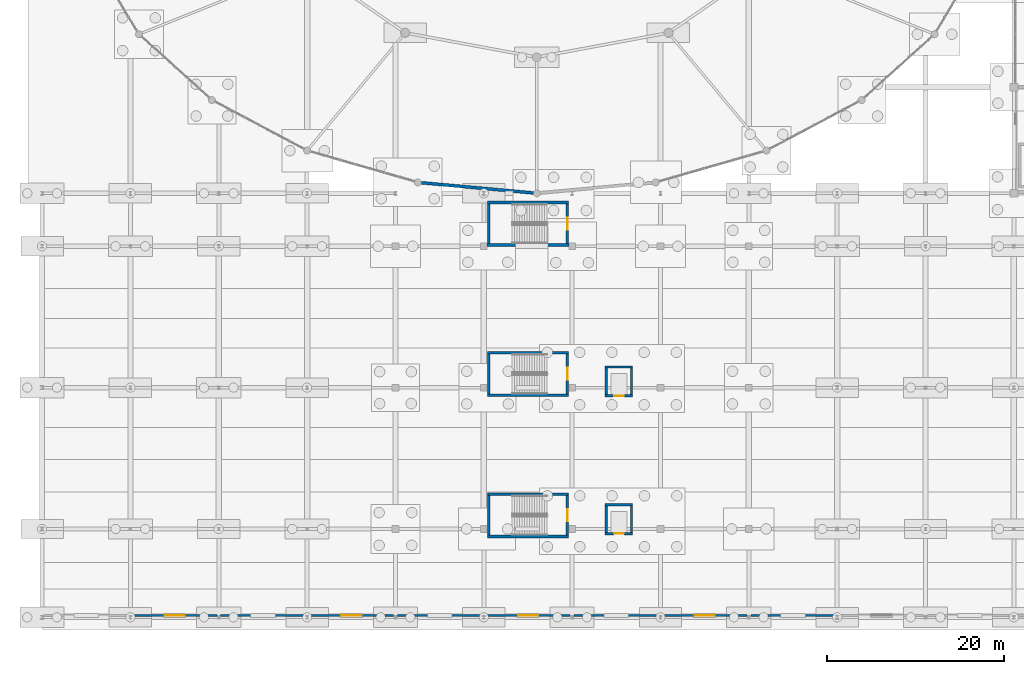
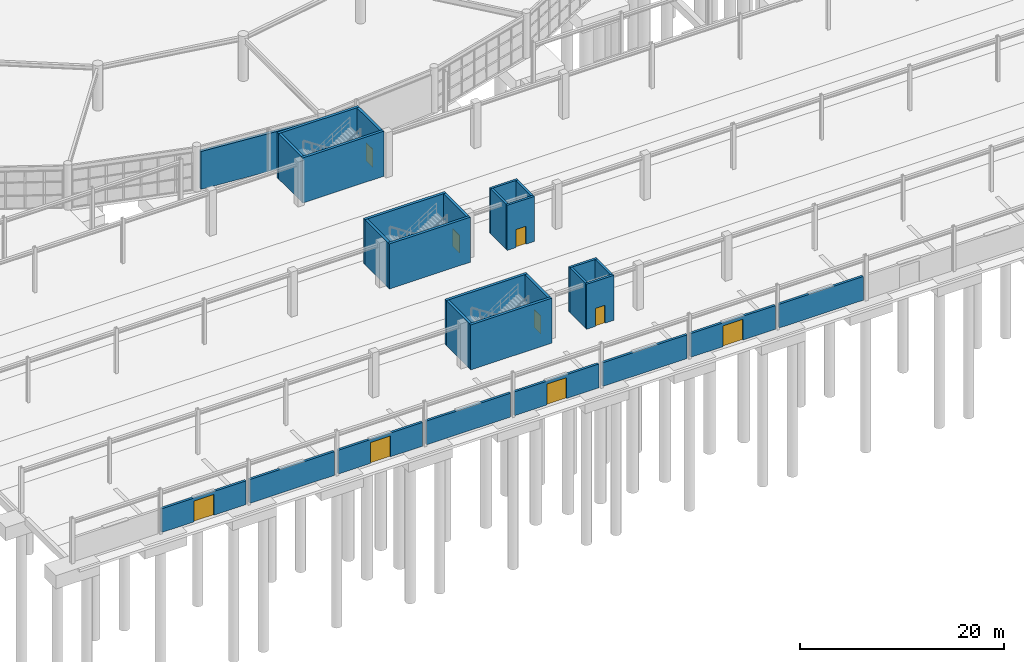
# One storey, part 75 of 99: 29 walls, 9 doors, 9 openings.
"""IFC4 building model written with IfcOpenShell, lengths in metres."""

from ifc_helpers import new_model, si_unit, direction, frame, frame_2d, origin, place, context, subcontext, project, spatial, rectangle, extrude, material, layer, layer_set, type_object, element, fill, save


model = new_model("IFC4")

# Units and contexts
model_context = context("Model", 3, precision=1e-05, world=origin(), true_north=direction((0.0, 1.0)))
body_context = subcontext(model_context, "Body", "Model", "MODEL_VIEW")
ifc_project = project(units=[si_unit("LENGTHUNIT", "METRE"), si_unit("AREAUNIT", "SQUARE_METRE"), si_unit("VOLUMEUNIT", "CUBIC_METRE"), si_unit("PLANEANGLEUNIT", "RADIAN"), si_unit("MASSUNIT", "GRAM", prefix="KILO")], contexts=[model_context])

# Site, building, storey
site_placement = place(None, origin())
site = spatial("IfcSite", under=ifc_project, at=site_placement, CompositionType="ELEMENT")
building_placement = place(site_placement, origin())
building = spatial("IfcBuilding", under=site, at=building_placement, Name="Kivolera Central Railway Station", CompositionType="ELEMENT")
storey_placement = place(building_placement, origin())
storey = spatial("IfcBuildingStorey", under=building, at=storey_placement, Name="L00", CompositionType="ELEMENT", Elevation=0.0)

# Walls
ifc_material_1 = material(Name="Concrete C40/50", Category="concrete")
ifc_layer_1 = layer(ifc_material_1, 0.300048828125, Name="Concrete C40/50")
ifc_layer_set_1 = layer_set([ifc_layer_1], Name="Concrete C40/50")
wall_type_1 = type_object("IfcWallType", Name="WL-CORE-300", PredefinedType="SHEAR", material=ifc_layer_set_1)
wall_1_placement = place(storey_placement, frame((67.625, 48.14990234375, 0.0), z_axis=(0.0, 0.0, 1.0), x_axis=(-1.0, 0.0, 0.0)))
element("IfcWall", 1, at=wall_1_placement, inside=storey, type_object=wall_type_1, Name="L00 ST8 Core Right Shear Wall", PredefinedType="SHEAR", context=body_context, shape_type="SweptSolid", body=[
    extrude(rectangle(XDim=9.25, YDim=0.300048828125, at=frame_2d((4.625, 0.0))), origin(), (0.0, 0.0, 1.0), 5.39990234375),
])
wall_2_placement = place(storey_placement, frame((58.39990234375, 52.949951171875, 0.0), z_axis=(0.0, 0.0, 1.0), x_axis=(1.0, 0.0, 0.0)))
element("IfcWall", 2, at=wall_2_placement, inside=storey, type_object=wall_type_1, Name="L00 ST8 Core Left Shear Wall", PredefinedType="SHEAR", context=body_context, shape_type="SweptSolid", body=[
    extrude(rectangle(XDim=9.2001953125, YDim=0.300048828125, at=frame_2d((4.60009765625, 0.0))), origin(), (0.0, 0.0, 1.0), 5.39990234375),
])

# Wall, opening, door
wall_3_placement = place(storey_placement, frame((67.449951171875, 52.800048828125, 0.0), z_axis=(0.0, 0.0, 1.0), x_axis=(0.0, -1.0, 0.0)))
wall_3 = element("IfcWall", 3, at=wall_3_placement, inside=storey, type_object=wall_type_1, Name="L00 ST8 Core Near Shear Wall", PredefinedType="SHEAR", context=body_context, shape_type="SweptSolid", body=[
    extrude(rectangle(XDim=4.5, YDim=0.300048828125, at=frame_2d((2.25, 0.0))), origin(), (0.0, 0.0, 1.0), 5.39990234375),
])
opening_1_placement = place(wall_3_placement, frame((1.574951171875, 0.0, 0.0)))
opening_1 = element("IfcOpeningElement", 4, at=opening_1_placement, cuts=wall_3, Name="Opening D-STAIR-1350", PredefinedType="OPENING", context=body_context, shape_type="SweptSolid", body=[
    extrude(rectangle(XDim=1.35009765625, YDim=2.14990234375, at=frame_2d((0.675048828125, 1.074951171875))), frame((0.0, 0.159912109375, 0.0), z_axis=(0.0, -1.0, 0.0), x_axis=(1.0, 0.0, 0.0)), (0.0, 0.0, 1.0), 0.320068359375),
])
ifc_material_2 = material(Name="Hardwood mvule timber", Category="wood")
door_type_1 = type_object("IfcDoorType", Name="DR-D-STAIR-1350", OperationType="NOTDEFINED", PredefinedType="DOOR", material=ifc_material_2)
door_1_placement = place(opening_1_placement, origin())
door_1 = element("IfcDoor", 5, at=door_1_placement, inside=storey, type_object=door_type_1, Name="L00 ST8 Concourse/Platform Stair Fire Door", OperationType="SINGLE_SWING_RIGHT", OverallHeight=2.14990234375, OverallWidth=1.35009765625, PredefinedType="DOOR", context=body_context, shape_type="SweptSolid", body=[
    extrude(rectangle(XDim=1.35009765625, YDim=2.14990234375, at=frame_2d((0.675048828125, 1.074951171875))), frame((0.0, 0.02490234375, 0.0), z_axis=(0.0, -1.0, 0.0), x_axis=(1.0, 0.0, 0.0)), (0.0, 0.0, 1.0), 0.050048828125),
])
fill(opening_1, door_1)

# Walls
wall_4_placement = place(storey_placement, frame((58.550048828125, 48.300048828125, 0.0), z_axis=(0.0, 0.0, 1.0), x_axis=(0.0, 1.0, 0.0)))
element("IfcWall", 6, at=wall_4_placement, inside=storey, type_object=wall_type_1, Name="L00 ST8 Core Far Shear Wall", PredefinedType="SHEAR", context=body_context, shape_type="SweptSolid", body=[
    extrude(rectangle(XDim=4.5, YDim=0.300048828125, at=frame_2d((2.25, 0.0))), origin(), (0.0, 0.0, 1.0), 5.39990234375),
])
for number, where, z_axis, x_axis, name in (
    (7, (67.60009765625, 31.14990234375, 0.0), (0.0, 0.0, 1.0), (-1.0, 0.0, 0.0), "L00 ST9 Core Right Shear Wall"),
    (8, (58.39990234375, 35.949951171875, 0.0), (0.0, 0.0, 1.0), (1.0, 0.0, 0.0), "L00 ST9 Core Left Shear Wall"),
):
    element("IfcWall", number, at=place(storey_placement, frame(where, z_axis=z_axis, x_axis=x_axis)), inside=storey, type_object=wall_type_1, Name=name, PredefinedType="SHEAR", context=body_context, shape_type="SweptSolid", body=[
        extrude(rectangle(XDim=9.2001953125, YDim=0.300048828125, at=frame_2d((4.60009765625, 0.0))), origin(), (0.0, 0.0, 1.0), 5.39990234375),
    ])

# Wall, opening, door
wall_5_placement = place(storey_placement, frame((67.449951171875, 35.800048828125, 0.0), z_axis=(0.0, 0.0, 1.0), x_axis=(0.0, -1.0, 0.0)))
wall_5 = element("IfcWall", 9, at=wall_5_placement, inside=storey, type_object=wall_type_1, Name="L00 ST9 Core Near Shear Wall", PredefinedType="SHEAR", context=body_context, shape_type="SweptSolid", body=[
    extrude(rectangle(XDim=4.5, YDim=0.300048828125, at=frame_2d((2.25, 0.0))), origin(), (0.0, 0.0, 1.0), 5.39990234375),
])
opening_2_placement = place(wall_5_placement, frame((1.574951171875, 0.0, 0.0)))
opening_2 = element("IfcOpeningElement", 10, at=opening_2_placement, cuts=wall_5, Name="Opening D-STAIR-1350", PredefinedType="OPENING", context=body_context, shape_type="SweptSolid", body=[
    extrude(rectangle(XDim=1.35009765625, YDim=2.14990234375, at=frame_2d((0.675048828125, 1.074951171875))), frame((0.0, 0.159912109375, 0.0), z_axis=(0.0, -1.0, 0.0), x_axis=(1.0, 0.0, 0.0)), (0.0, 0.0, 1.0), 0.320068359375),
])
door_2_placement = place(opening_2_placement, origin())
door_2 = element("IfcDoor", 11, at=door_2_placement, inside=storey, type_object=door_type_1, Name="L00 ST9 Concourse/Platform Stair Fire Door", OperationType="SINGLE_SWING_LEFT", OverallHeight=2.14990234375, OverallWidth=1.35009765625, PredefinedType="DOOR", context=body_context, shape_type="SweptSolid", body=[
    extrude(rectangle(XDim=1.35009765625, YDim=2.14990234375, at=frame_2d((0.675048828125, 1.074951171875))), frame((0.0, 0.02490234375, 0.0), z_axis=(0.0, -1.0, 0.0), x_axis=(1.0, 0.0, 0.0)), (0.0, 0.0, 1.0), 0.050048828125),
])
fill(opening_2, door_2)

# Walls
wall_6_placement = place(storey_placement, frame((58.550048828125, 31.300048828125, 0.0), z_axis=(0.0, 0.0, 1.0), x_axis=(0.0, 1.0, 0.0)))
element("IfcWall", 12, at=wall_6_placement, inside=storey, type_object=wall_type_1, Name="L00 ST9 Core Far Shear Wall", PredefinedType="SHEAR", context=body_context, shape_type="SweptSolid", body=[
    extrude(rectangle(XDim=4.5, YDim=0.300048828125, at=frame_2d((2.25, 0.0))), origin(), (0.0, 0.0, 1.0), 5.39990234375),
])
for number, where, z_axis, x_axis, name in (
    (13, (67.60009765625, 15.14990234375, 0.0), (0.0, 0.0, 1.0), (-1.0, 0.0, 0.0), "L00 ST10 Core Right Shear Wall"),
    (14, (58.39990234375, 19.949951171875, 0.0), (0.0, 0.0, 1.0), (1.0, 0.0, 0.0), "L00 ST10 Core Left Shear Wall"),
):
    element("IfcWall", number, at=place(storey_placement, frame(where, z_axis=z_axis, x_axis=x_axis)), inside=storey, type_object=wall_type_1, Name=name, PredefinedType="SHEAR", context=body_context, shape_type="SweptSolid", body=[
        extrude(rectangle(XDim=9.2001953125, YDim=0.300048828125, at=frame_2d((4.60009765625, 0.0))), origin(), (0.0, 0.0, 1.0), 5.39990234375),
    ])

# Wall, opening, door
wall_7_placement = place(storey_placement, frame((67.449951171875, 19.800048828125, 0.0), z_axis=(0.0, 0.0, 1.0), x_axis=(0.0, -1.0, 0.0)))
wall_7 = element("IfcWall", 15, at=wall_7_placement, inside=storey, type_object=wall_type_1, Name="L00 ST10 Core Near Shear Wall", PredefinedType="SHEAR", context=body_context, shape_type="SweptSolid", body=[
    extrude(rectangle(XDim=4.5, YDim=0.300048828125, at=frame_2d((2.25, 0.0))), origin(), (0.0, 0.0, 1.0), 5.39990234375),
])
opening_3_placement = place(wall_7_placement, frame((1.574951171875, 0.0, 0.0)))
opening_3 = element("IfcOpeningElement", 16, at=opening_3_placement, cuts=wall_7, Name="Opening D-STAIR-1350", PredefinedType="OPENING", context=body_context, shape_type="SweptSolid", body=[
    extrude(rectangle(XDim=1.35009765625, YDim=2.14990234375, at=frame_2d((0.675048828125, 1.074951171875))), frame((0.0, 0.159912109375, 0.0), z_axis=(0.0, -1.0, 0.0), x_axis=(1.0, 0.0, 0.0)), (0.0, 0.0, 1.0), 0.320068359375),
])
door_3_placement = place(opening_3_placement, origin())
door_3 = element("IfcDoor", 17, at=door_3_placement, inside=storey, type_object=door_type_1, Name="L00 ST10 Concourse/Platform Stair Fire Door", OperationType="SINGLE_SWING_RIGHT", OverallHeight=2.14990234375, OverallWidth=1.35009765625, PredefinedType="DOOR", context=body_context, shape_type="SweptSolid", body=[
    extrude(rectangle(XDim=1.35009765625, YDim=2.14990234375, at=frame_2d((0.675048828125, 1.074951171875))), frame((0.0, 0.02490234375, 0.0), z_axis=(0.0, -1.0, 0.0), x_axis=(1.0, 0.0, 0.0)), (0.0, 0.0, 1.0), 0.050048828125),
])
fill(opening_3, door_3)

# Wall
wall_8_placement = place(storey_placement, frame((58.550048828125, 15.300048828125, 0.0), z_axis=(0.0, 0.0, 1.0), x_axis=(0.0, 1.0, 0.0)))
element("IfcWall", 18, at=wall_8_placement, inside=storey, type_object=wall_type_1, Name="L00 ST10 Core Far Shear Wall", PredefinedType="SHEAR", context=body_context, shape_type="SweptSolid", body=[
    extrude(rectangle(XDim=4.5, YDim=0.300048828125, at=frame_2d((2.25, 0.0))), origin(), (0.0, 0.0, 1.0), 5.39990234375),
])

# Wall, opening, door
ifc_material_3 = material(Name="Swahili coral limestone", Category="masonry")
ifc_layer_2 = layer(ifc_material_3, 0.27001953125, Name="Swahili coral limestone")
ifc_layer_set_2 = layer_set([ifc_layer_2], Name="Swahili coral limestone")
wall_type_2 = type_object("IfcWallType", Name="WL-EXT-CORAL-270", PredefinedType="SOLIDWALL", material=ifc_layer_set_2)
wall_9_placement = place(storey_placement, frame((27.780029296875, 6.199951171875, 0.0), z_axis=(0.0, 0.0, 1.0), x_axis=(-1.0, 0.0, 0.0)))
wall_9 = element("IfcWall", 19, at=wall_9_placement, inside=storey, type_object=wall_type_2, Name="Southern Trackside Coral-Limestone Screen Wall 02", PredefinedType="SOLIDWALL", context=body_context, shape_type="SweptSolid", body=[
    extrude(rectangle(XDim=9.56005859375, YDim=0.27001953125, at=frame_2d((4.780029296875, 0.0))), origin(), (0.0, 0.0, 1.0), 2.85009765625),
])
opening_4_placement = place(wall_9_placement, frame((3.655029296875, 0.0, 0.0)))
opening_4 = element("IfcOpeningElement", 20, at=opening_4_placement, cuts=wall_9, Name="Opening ED-2250", PredefinedType="OPENING", context=body_context, shape_type="SweptSolid", body=[
    extrude(rectangle(XDim=2.25, YDim=2.5, at=frame_2d((1.125, 1.25))), frame((0.0, 0.14501953125, 0.0), z_axis=(0.0, -1.0, 0.0), x_axis=(1.0, 0.0, 0.0)), (0.0, 0.0, 1.0), 0.2900390625),
])
ifc_material_4 = material(Name="Anodised aluminium", Category="aluminium")
door_type_2 = type_object("IfcDoorType", Name="DR-ED-2250", OperationType="NOTDEFINED", PredefinedType="DOOR", material=ifc_material_4)
door_4_placement = place(opening_4_placement, origin())
door_4 = element("IfcDoor", 21, at=door_4_placement, inside=storey, type_object=door_type_2, Name="Platform Southern Final Exit Discharge Door ED-17", OperationType="DOUBLE_DOOR_SINGLE_SWING", OverallHeight=2.5, OverallWidth=2.25, PredefinedType="DOOR", context=body_context, shape_type="SweptSolid", body=[
    extrude(rectangle(XDim=2.25, YDim=2.5, at=frame_2d((1.125, 1.25))), frame((0.0, 0.02490234375, 0.0), z_axis=(0.0, -1.0, 0.0), x_axis=(1.0, 0.0, 0.0)), (0.0, 0.0, 1.0), 0.050048828125),
])
fill(opening_4, door_4)

# Wall
wall_10_placement = place(storey_placement, frame((37.780029296875, 6.199951171875, 0.0), z_axis=(0.0, 0.0, 1.0), x_axis=(-1.0, 0.0, 0.0)))
element("IfcWall", 22, at=wall_10_placement, inside=storey, type_object=wall_type_2, Name="Southern Trackside Coral-Limestone Screen Wall 03", PredefinedType="SOLIDWALL", context=body_context, shape_type="SweptSolid", body=[
    extrude(rectangle(XDim=9.56005859375, YDim=0.27001953125, at=frame_2d((4.780029296875, 0.0))), origin(), (0.0, 0.0, 1.0), 2.85009765625),
])

# Wall, opening, door
wall_11_placement = place(storey_placement, frame((47.780029296875, 6.199951171875, 0.0), z_axis=(0.0, 0.0, 1.0), x_axis=(-1.0, 0.0, 0.0)))
wall_11 = element("IfcWall", 23, at=wall_11_placement, inside=storey, type_object=wall_type_2, Name="Southern Trackside Coral-Limestone Screen Wall 04", PredefinedType="SOLIDWALL", context=body_context, shape_type="SweptSolid", body=[
    extrude(rectangle(XDim=9.56005859375, YDim=0.27001953125, at=frame_2d((4.780029296875, 0.0))), origin(), (0.0, 0.0, 1.0), 2.85009765625),
])
opening_5_placement = place(wall_11_placement, frame((3.655029296875, 0.0, 0.0)))
opening_5 = element("IfcOpeningElement", 24, at=opening_5_placement, cuts=wall_11, Name="Opening ED-2250", PredefinedType="OPENING", context=body_context, shape_type="SweptSolid", body=[
    extrude(rectangle(XDim=2.25, YDim=2.5, at=frame_2d((1.125, 1.25))), frame((0.0, 0.14501953125, 0.0), z_axis=(0.0, -1.0, 0.0), x_axis=(1.0, 0.0, 0.0)), (0.0, 0.0, 1.0), 0.2900390625),
])
door_5_placement = place(opening_5_placement, origin())
door_5 = element("IfcDoor", 25, at=door_5_placement, inside=storey, type_object=door_type_2, Name="Platform Southern Final Exit Discharge Door ED-18", OperationType="DOUBLE_DOOR_SINGLE_SWING", OverallHeight=2.5, OverallWidth=2.25, PredefinedType="DOOR", context=body_context, shape_type="SweptSolid", body=[
    extrude(rectangle(XDim=2.25, YDim=2.5, at=frame_2d((1.125, 1.25))), frame((0.0, 0.02490234375, 0.0), z_axis=(0.0, -1.0, 0.0), x_axis=(1.0, 0.0, 0.0)), (0.0, 0.0, 1.0), 0.050048828125),
])
fill(opening_5, door_5)

# Wall
wall_12_placement = place(storey_placement, frame((57.780029296875, 6.199951171875, 0.0), z_axis=(0.0, 0.0, 1.0), x_axis=(-1.0, 0.0, 0.0)))
element("IfcWall", 26, at=wall_12_placement, inside=storey, type_object=wall_type_2, Name="Southern Trackside Coral-Limestone Screen Wall 05", PredefinedType="SOLIDWALL", context=body_context, shape_type="SweptSolid", body=[
    extrude(rectangle(XDim=9.56005859375, YDim=0.27001953125, at=frame_2d((4.780029296875, 0.0))), origin(), (0.0, 0.0, 1.0), 2.85009765625),
])

# Wall, opening, door
wall_13_placement = place(storey_placement, frame((67.780029296875, 6.199951171875, 0.0), z_axis=(0.0, 0.0, 1.0), x_axis=(-1.0, 0.0, 0.0)))
wall_13 = element("IfcWall", 27, at=wall_13_placement, inside=storey, type_object=wall_type_2, Name="Southern Trackside Coral-Limestone Screen Wall 06", PredefinedType="SOLIDWALL", context=body_context, shape_type="SweptSolid", body=[
    extrude(rectangle(XDim=9.56005859375, YDim=0.27001953125, at=frame_2d((4.780029296875, 0.0))), origin(), (0.0, 0.0, 1.0), 2.85009765625),
])
opening_6_placement = place(wall_13_placement, frame((3.655029296875, 0.0, 0.0)))
opening_6 = element("IfcOpeningElement", 28, at=opening_6_placement, cuts=wall_13, Name="Opening ED-2250", PredefinedType="OPENING", context=body_context, shape_type="SweptSolid", body=[
    extrude(rectangle(XDim=2.25, YDim=2.5, at=frame_2d((1.125, 1.25))), frame((0.0, 0.14501953125, 0.0), z_axis=(0.0, -1.0, 0.0), x_axis=(1.0, 0.0, 0.0)), (0.0, 0.0, 1.0), 0.2900390625),
])
door_6_placement = place(opening_6_placement, origin())
door_6 = element("IfcDoor", 29, at=door_6_placement, inside=storey, type_object=door_type_2, Name="Platform Southern Final Exit Discharge Door ED-19", OperationType="DOUBLE_DOOR_SINGLE_SWING", OverallHeight=2.5, OverallWidth=2.25, PredefinedType="DOOR", context=body_context, shape_type="SweptSolid", body=[
    extrude(rectangle(XDim=2.25, YDim=2.5, at=frame_2d((1.125, 1.25))), frame((0.0, 0.02490234375, 0.0), z_axis=(0.0, -1.0, 0.0), x_axis=(1.0, 0.0, 0.0)), (0.0, 0.0, 1.0), 0.050048828125),
])
fill(opening_6, door_6)

# Wall
wall_14_placement = place(storey_placement, frame((77.780029296875, 6.199951171875, 0.0), z_axis=(0.0, 0.0, 1.0), x_axis=(-1.0, 0.0, 0.0)))
element("IfcWall", 30, at=wall_14_placement, inside=storey, type_object=wall_type_2, Name="Southern Trackside Coral-Limestone Screen Wall 07", PredefinedType="SOLIDWALL", context=body_context, shape_type="SweptSolid", body=[
    extrude(rectangle(XDim=9.56005859375, YDim=0.27001953125, at=frame_2d((4.780029296875, 0.0))), origin(), (0.0, 0.0, 1.0), 2.85009765625),
])

# Wall, opening, door
wall_15_placement = place(storey_placement, frame((87.780029296875, 6.199951171875, 0.0), z_axis=(0.0, 0.0, 1.0), x_axis=(-1.0, 0.0, 0.0)))
wall_15 = element("IfcWall", 31, at=wall_15_placement, inside=storey, type_object=wall_type_2, Name="Southern Trackside Coral-Limestone Screen Wall 08", PredefinedType="SOLIDWALL", context=body_context, shape_type="SweptSolid", body=[
    extrude(rectangle(XDim=9.56005859375, YDim=0.27001953125, at=frame_2d((4.780029296875, 0.0))), origin(), (0.0, 0.0, 1.0), 2.85009765625),
])
opening_7_placement = place(wall_15_placement, frame((3.655029296875, 0.0, 0.0)))
opening_7 = element("IfcOpeningElement", 32, at=opening_7_placement, cuts=wall_15, Name="Opening ED-2250", PredefinedType="OPENING", context=body_context, shape_type="SweptSolid", body=[
    extrude(rectangle(XDim=2.25, YDim=2.5, at=frame_2d((1.125, 1.25))), frame((0.0, 0.14501953125, 0.0), z_axis=(0.0, -1.0, 0.0), x_axis=(1.0, 0.0, 0.0)), (0.0, 0.0, 1.0), 0.2900390625),
])
door_7_placement = place(opening_7_placement, origin())
door_7 = element("IfcDoor", 33, at=door_7_placement, inside=storey, type_object=door_type_2, Name="Platform Southern Final Exit Discharge Door ED-20", OperationType="DOUBLE_DOOR_SINGLE_SWING", OverallHeight=2.5, OverallWidth=2.25, PredefinedType="DOOR", context=body_context, shape_type="SweptSolid", body=[
    extrude(rectangle(XDim=2.25, YDim=2.5, at=frame_2d((1.125, 1.25))), frame((0.0, 0.02490234375, 0.0), z_axis=(0.0, -1.0, 0.0), x_axis=(1.0, 0.0, 0.0)), (0.0, 0.0, 1.0), 0.050048828125),
])
fill(opening_7, door_7)

# Walls
wall_16_placement = place(storey_placement, frame((97.780029296875, 6.199951171875, 0.0), z_axis=(0.0, 0.0, 1.0), x_axis=(-1.0, 0.0, 0.0)))
element("IfcWall", 34, at=wall_16_placement, inside=storey, type_object=wall_type_2, Name="Southern Trackside Coral-Limestone Screen Wall 09", PredefinedType="SOLIDWALL", context=body_context, shape_type="SweptSolid", body=[
    extrude(rectangle(XDim=9.56005859375, YDim=0.27001953125, at=frame_2d((4.780029296875, 0.0))), origin(), (0.0, 0.0, 1.0), 2.85009765625),
])
ifc_layer_3 = layer(ifc_material_3, 0.340087890625, Name="Swahili coral limestone")
ifc_layer_set_3 = layer_set([ifc_layer_3], Name="Swahili coral limestone")
wall_type_3 = type_object("IfcWallType", Name="WL-EXT-PLINTH-340", PredefinedType="SOLIDWALL", material=ifc_layer_set_3)
wall_17_placement = place(storey_placement, frame((63.60205078125, 54.035888671875, 0.0), z_axis=(0.0, 0.0, 1.0), x_axis=(-0.995865935197, 0.090835230574, 0.0)))
element("IfcWall", 35, at=wall_17_placement, inside=storey, type_object=wall_type_3, Name="Oval Concourse Entrance Portal Wall Bay 18", PredefinedType="SOLIDWALL", context=body_context, shape_type="SweptSolid", body=[
    extrude(rectangle(XDim=12.715576171875, YDim=0.340087890625, at=frame_2d((6.35791015625, 0.0))), origin(), (0.0, 0.0, 1.0), 4.5400390625),
])

# Wall, opening, door
ifc_layer_4 = layer(ifc_material_1, 0.260009765625, Name="Concrete C40/50")
ifc_layer_set_4 = layer_set([ifc_layer_4], Name="Concrete C40/50")
wall_type_4 = type_object("IfcWallType", Name="WL-SHAFT-260", PredefinedType="SHEAR", material=ifc_layer_set_4)
wall_18_placement = place(storey_placement, frame((71.739990234375, 31.070068359375, 0.0), z_axis=(0.0, 0.0, 1.0), x_axis=(1.0, 0.0, 0.0)))
wall_18 = element("IfcWall", 36, at=wall_18_placement, inside=storey, type_object=wall_type_4, Name="L00 Lift PL4 Front Shaft Wall", PredefinedType="SHEAR", context=body_context, shape_type="SweptSolid", body=[
    extrude(rectangle(XDim=3.1201171875, YDim=0.260009765625, at=frame_2d((1.56005859375, 0.0))), origin(), (0.0, 0.0, 1.0), 5.39990234375),
])
opening_8_placement = place(wall_18_placement, frame((1.010009765625, 0.0, 0.0)))
opening_8 = element("IfcOpeningElement", 37, at=opening_8_placement, cuts=wall_18, Name="Opening LD-PAX-1100", PredefinedType="OPENING", context=body_context, shape_type="SweptSolid", body=[
    extrude(rectangle(XDim=1.10009765625, YDim=2.14990234375, at=frame_2d((0.550048828125, 1.074951171875))), frame((0.0, 0.139892578125, 0.0), z_axis=(0.0, -1.0, 0.0), x_axis=(1.0, 0.0, 0.0)), (0.0, 0.0, 1.0), 0.280029296875),
])
door_type_3 = type_object("IfcDoorType", Name="DR-LD-PAX-1100", OperationType="NOTDEFINED", PredefinedType="DOOR", material=ifc_material_4)
door_8_placement = place(opening_8_placement, origin())
door_8 = element("IfcDoor", 38, at=door_8_placement, inside=storey, type_object=door_type_3, Name="L00 Lift PL4 Sliding Landing Door", OperationType="SLIDING_TO_LEFT", OverallHeight=2.14990234375, OverallWidth=1.10009765625, PredefinedType="DOOR", context=body_context, shape_type="SweptSolid", body=[
    extrude(rectangle(XDim=1.10009765625, YDim=2.14990234375, at=frame_2d((0.550048828125, 1.074951171875))), frame((0.0, 0.02490234375, 0.0), z_axis=(0.0, -1.0, 0.0), x_axis=(1.0, 0.0, 0.0)), (0.0, 0.0, 1.0), 0.050048828125),
])
fill(opening_8, door_8)

# Walls
for number, where, z_axis, x_axis, name in (
    (39, (71.8701171875, 31.199951171875, 0.0), (0.0, 0.0, 1.0), (0.0, 1.0, 0.0), "L00 Lift PL4 West Shaft Wall"),
    (40, (74.72998046875, 31.199951171875, 0.0), (0.0, 0.0, 1.0), (0.0, 1.0, 0.0), "L00 Lift PL4 East Shaft Wall"),
):
    element("IfcWall", number, at=place(storey_placement, frame(where, z_axis=z_axis, x_axis=x_axis)), inside=storey, type_object=wall_type_4, Name=name, PredefinedType="SHEAR", context=body_context, shape_type="SweptSolid", body=[
        extrude(rectangle(XDim=3.0, YDim=0.260009765625, at=frame_2d((1.5, 0.0))), origin(), (0.0, 0.0, 1.0), 5.39990234375),
    ])
wall_19_placement = place(storey_placement, frame((71.739990234375, 34.330078125, 0.0), z_axis=(0.0, 0.0, 1.0), x_axis=(1.0, 0.0, 0.0)))
element("IfcWall", 41, at=wall_19_placement, inside=storey, type_object=wall_type_4, Name="L00 Lift PL4 Rear Shaft Wall", PredefinedType="SHEAR", context=body_context, shape_type="SweptSolid", body=[
    extrude(rectangle(XDim=3.1201171875, YDim=0.260009765625, at=frame_2d((1.56005859375, 0.0))), origin(), (0.0, 0.0, 1.0), 5.39990234375),
])

# Wall, opening, door
wall_20_placement = place(storey_placement, frame((71.739990234375, 15.469970703125, 0.0), z_axis=(0.0, 0.0, 1.0), x_axis=(1.0, 0.0, 0.0)))
wall_20 = element("IfcWall", 42, at=wall_20_placement, inside=storey, type_object=wall_type_4, Name="L00 Lift PL5 Front Shaft Wall", PredefinedType="SHEAR", context=body_context, shape_type="SweptSolid", body=[
    extrude(rectangle(XDim=3.1201171875, YDim=0.260009765625, at=frame_2d((1.56005859375, 0.0))), origin(), (0.0, 0.0, 1.0), 5.39990234375),
])
opening_9_placement = place(wall_20_placement, frame((1.010009765625, 0.0, 0.0)))
opening_9 = element("IfcOpeningElement", 43, at=opening_9_placement, cuts=wall_20, Name="Opening LD-PAX-1100", PredefinedType="OPENING", context=body_context, shape_type="SweptSolid", body=[
    extrude(rectangle(XDim=1.10009765625, YDim=2.14990234375, at=frame_2d((0.550048828125, 1.074951171875))), frame((0.0, 0.139892578125, 0.0), z_axis=(0.0, -1.0, 0.0), x_axis=(1.0, 0.0, 0.0)), (0.0, 0.0, 1.0), 0.280029296875),
])
door_9_placement = place(opening_9_placement, origin())
door_9 = element("IfcDoor", 44, at=door_9_placement, inside=storey, type_object=door_type_3, Name="L00 Lift PL5 Sliding Landing Door", OperationType="SLIDING_TO_LEFT", OverallHeight=2.14990234375, OverallWidth=1.10009765625, PredefinedType="DOOR", context=body_context, shape_type="SweptSolid", body=[
    extrude(rectangle(XDim=1.10009765625, YDim=2.14990234375, at=frame_2d((0.550048828125, 1.074951171875))), frame((0.0, 0.02490234375, 0.0), z_axis=(0.0, -1.0, 0.0), x_axis=(1.0, 0.0, 0.0)), (0.0, 0.0, 1.0), 0.050048828125),
])
fill(opening_9, door_9)

# Walls
for number, where, z_axis, x_axis, name in (
    (45, (71.8701171875, 15.60009765625, 0.0), (0.0, 0.0, 1.0), (0.0, 1.0, 0.0), "L00 Lift PL5 West Shaft Wall"),
    (46, (74.72998046875, 15.60009765625, 0.0), (0.0, 0.0, 1.0), (0.0, 1.0, 0.0), "L00 Lift PL5 East Shaft Wall"),
):
    element("IfcWall", number, at=place(storey_placement, frame(where, z_axis=z_axis, x_axis=x_axis)), inside=storey, type_object=wall_type_4, Name=name, PredefinedType="SHEAR", context=body_context, shape_type="SweptSolid", body=[
        extrude(rectangle(XDim=3.0, YDim=0.260009765625, at=frame_2d((1.5, 0.0))), origin(), (0.0, 0.0, 1.0), 5.39990234375),
    ])
wall_21_placement = place(storey_placement, frame((71.739990234375, 18.72998046875, 0.0), z_axis=(0.0, 0.0, 1.0), x_axis=(1.0, 0.0, 0.0)))
element("IfcWall", 47, at=wall_21_placement, inside=storey, type_object=wall_type_4, Name="L00 Lift PL5 Rear Shaft Wall", PredefinedType="SHEAR", context=body_context, shape_type="SweptSolid", body=[
    extrude(rectangle(XDim=3.1201171875, YDim=0.260009765625, at=frame_2d((1.56005859375, 0.0))), origin(), (0.0, 0.0, 1.0), 5.39990234375),
])

save(model, "model.ifc")
